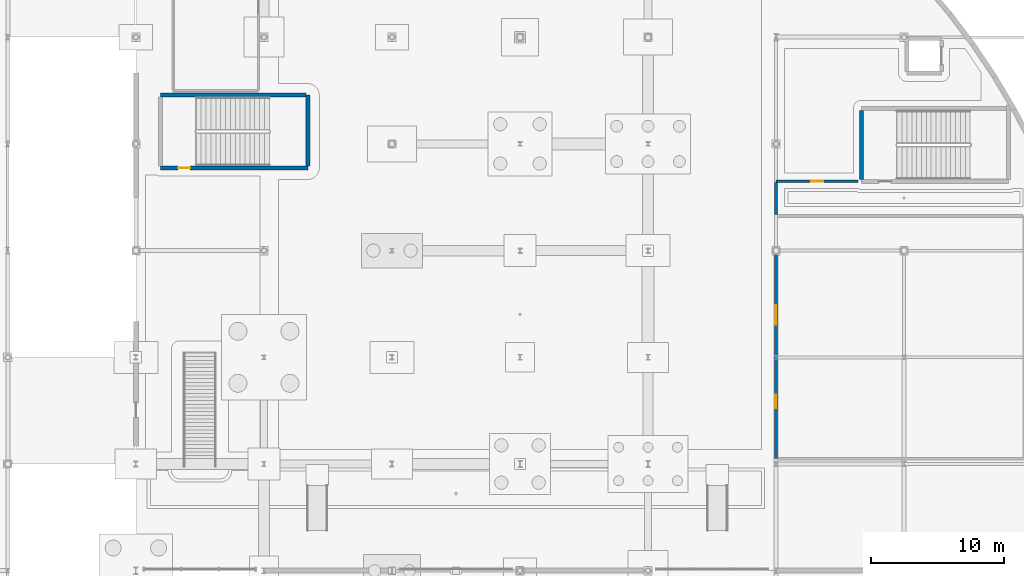
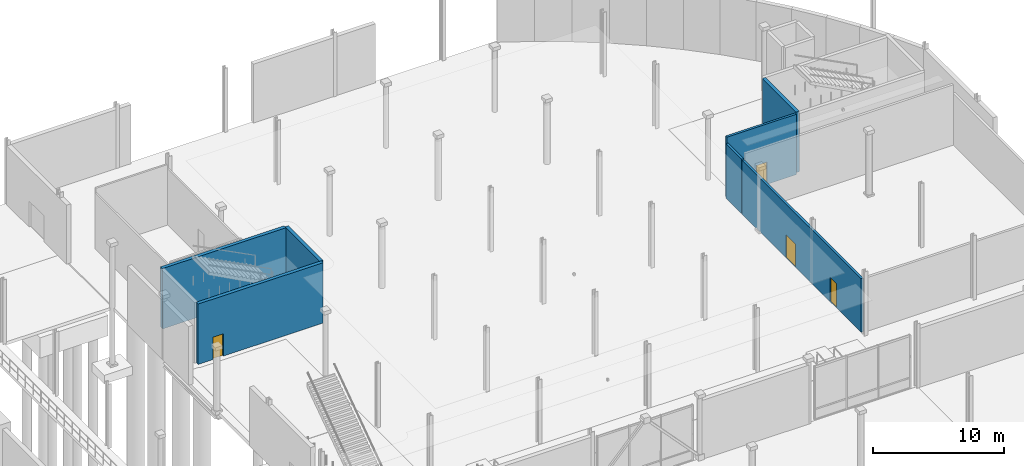
# One storey, part 84 of 124: 7 walls, 4 doors, 4 openings.
"""IFC4 building model written with IfcOpenShell, lengths in metres."""

import ifcopenshell
import ifcopenshell.guid

model = None  # the IFC model being written
_history = None  # IfcOwnerHistory: only IFC2X3 demands one
_inside = {}  # id of a spatial element -> (the spatial element, [elements in it])
_under = {}  # id of a project, library or spatial element -> (it, [spatial elements below it])
_declared = {}  # id of a project -> (the project, [libraries it declares])
_typed = {}  # id of a type object -> (the type object, [elements of that type])
_made_of = {}  # id of a material, layer set ... -> (it, [elements and type objects made of it])


def new_model(schema):
    """Start an empty IFC model of exactly this schema.

    Asked for "IFC4X3", IfcOpenShell would pick the latest addendum, in which some entities
    have other attributes; the version numbers below select the first issue.
    IFC2X3 requires an IfcOwnerHistory on every rooted entity: one is made here for all.
    """
    global model, _history
    if schema == "IFC4X3":
        model = ifcopenshell.file(schema_version=(4, 3, 0, 0))
    else:
        model = ifcopenshell.file(schema=schema)
    _inside.clear()
    _under.clear()
    _declared.clear()
    _typed.clear()
    _made_of.clear()
    _history = None
    if model.schema == "IFC2X3":
        org = make("IfcOrganization", Name="unknown")
        user = make(
            "IfcPersonAndOrganization",
            ThePerson=make("IfcPerson", FamilyName="unknown"),
            TheOrganization=org,
        )
        app = make(
            "IfcApplication",
            ApplicationDeveloper=org,
            Version="unknown",
            ApplicationFullName="unknown",
            ApplicationIdentifier="unknown",
        )
        _history = make(
            "IfcOwnerHistory",
            OwningUser=user,
            OwningApplication=app,
            ChangeAction="ADDED",
            CreationDate=0,
        )
    return model


def make(cls, **values):
    """One entity of the class cls with the attributes given. An attribute that is None is left unset."""
    return model.create_entity(
        cls, **{name: value for name, value in values.items() if value is not None}
    )


def rooted(cls, **values):
    """An entity with a GlobalId (a new one), such as an element, a storey or a relation."""
    return make(cls, GlobalId=ifcopenshell.guid.new(), OwnerHistory=_history, **values)


def si_unit(unit_type, name, prefix=None):
    """IfcSIUnit, for example si_unit("LENGTHUNIT", "METRE", prefix="MILLI")."""
    return make("IfcSIUnit", UnitType=unit_type, Prefix=prefix, Name=name)


def assignment(units):
    """IfcUnitAssignment: the units of a project."""
    return None if units is None else make("IfcUnitAssignment", Units=units)


def point(xyz):
    """IfcCartesianPoint."""
    return None if xyz is None else make("IfcCartesianPoint", Coordinates=xyz)


def direction(xyz):
    """IfcDirection."""
    return None if xyz is None else make("IfcDirection", DirectionRatios=xyz)


def frame(location, z_axis=None, x_axis=None):
    """IfcAxis2Placement3D, a coordinate frame: its origin and axes. An axis left out is left unset."""
    return make(
        "IfcAxis2Placement3D",
        Location=point(location),
        Axis=direction(z_axis),
        RefDirection=direction(x_axis),
    )


def frame_2d(location, x_axis=None):
    """IfcAxis2Placement2D, a coordinate frame in the plane: its origin and x axis."""
    return make(
        "IfcAxis2Placement2D", Location=point(location), RefDirection=direction(x_axis)
    )


def origin():
    """The frame at (0, 0, 0) with its axes left unset."""
    return frame((0.0, 0.0, 0.0))


def place(relative_to, where):
    """IfcLocalPlacement: puts the frame where relative to a parent placement (None: the world)."""
    return make(
        "IfcLocalPlacement", PlacementRelTo=relative_to, RelativePlacement=where
    )


def context(
    kind, dimensions, precision=None, world=None, true_north=None, identifier=None
):
    """IfcGeometricRepresentationContext, for example the 3D "Model" context."""
    return make(
        "IfcGeometricRepresentationContext",
        ContextIdentifier=identifier,
        ContextType=kind,
        CoordinateSpaceDimension=dimensions,
        Precision=precision,
        WorldCoordinateSystem=world,
        TrueNorth=true_north,
    )


def subcontext(parent, identifier, kind, view, scale=None):
    """IfcGeometricRepresentationSubContext, for example "Body" below "Model"."""
    return make(
        "IfcGeometricRepresentationSubContext",
        ContextIdentifier=identifier,
        ContextType=kind,
        ParentContext=parent,
        TargetScale=scale,
        TargetView=view,
    )


def project(units=None, contexts=None):
    """IfcProject with its units and contexts."""
    return rooted(
        "IfcProject",
        Name="project",
        RepresentationContexts=contexts,
        UnitsInContext=assignment(units),
    )


def spatial(cls, under=None, at=None, **own):
    """A site, building, storey or space (cls), placed at a placement, below another one or the project."""
    s = rooted(cls, ObjectPlacement=at, **own)
    if under is not None:
        _under.setdefault(under.id(), (under, []))[1].append(s)
    return s


def profile(cls, at=None, kind="AREA", **sizes):
    """A parametric profile (cls). Its sizes go by their IFC names, for example OverallWidth=200.0."""
    return make(cls, ProfileType=kind, Position=at, **sizes)


def rectangle(**sizes):
    """IfcRectangleProfileDef."""
    return profile("IfcRectangleProfileDef", **sizes)


def extrude(swept, where, along, depth):
    """IfcExtrudedAreaSolid: the profile swept, set in the frame where, extruded along a direction by depth."""
    return make(
        "IfcExtrudedAreaSolid",
        SweptArea=swept,
        Position=where,
        ExtrudedDirection=direction(along),
        Depth=depth,
    )


def shape(context_of_items, identifier, shape_type, items):
    """IfcShapeRepresentation: the items that make up one representation, for example the "Body"."""
    return make(
        "IfcShapeRepresentation",
        ContextOfItems=context_of_items,
        RepresentationIdentifier=identifier,
        RepresentationType=shape_type,
        Items=items,
    )


def material(Name=None, Category=None):
    """IfcMaterial."""
    return make("IfcMaterial", Name=Name, Category=Category)


def layer(
    of_material, thickness, ventilated=None, Name=None, Category=None, Priority=None
):
    """IfcMaterialLayer: one layer of a wall or slab, of a material (None: an air gap)."""
    return make(
        "IfcMaterialLayer",
        Material=of_material,
        LayerThickness=thickness,
        IsVentilated=ventilated,
        Name=Name,
        Category=Category,
        Priority=Priority,
    )


def layer_set(layers, Name=None):
    """IfcMaterialLayerSet."""
    return make("IfcMaterialLayerSet", MaterialLayers=layers, LayerSetName=Name)


def made_of(thing, what):
    """Note that an element or type object is made of a material, layer set ...; save() writes the relation."""
    if what is not None:
        _made_of.setdefault(what.id(), (what, []))[1].append(thing)
    return thing


def type_object(cls, material=None, **own):
    """A type object (cls), such as IfcWallType, which elements share."""
    return made_of(rooted(cls, **own), material)


def element(
    cls,
    number,
    at=None,
    inside=None,
    cuts=None,
    type_object=None,
    material=None,
    context=None,
    identifier="Body",
    shape_type=None,
    held_by="IfcProductDefinitionShape",
    body=None,
    shapes=None,
    **own,
):
    """One element of the class cls, such as IfcWall. Its Tag is "e" and its number.

    at: its placement. inside: the storey or other place that contains it. cuts: it is an
    opening in that element (IfcRelVoidsElement). A single representation is given by context,
    identifier, shape_type and body (its items); several are given by shapes. held_by: the class
    of the entity that holds the representations. save() writes the other relations.
    """
    e = rooted(cls, Tag="e%d" % number, ObjectPlacement=at, **own)
    if body is not None:
        shapes = [shape(context, identifier, shape_type, body)]
    if shapes is not None:
        e.Representation = make(held_by, Representations=shapes)
    if inside is not None:
        _inside.setdefault(inside.id(), (inside, []))[1].append(e)
    if cuts is not None:
        rooted(
            "IfcRelVoidsElement", RelatingBuildingElement=cuts, RelatedOpeningElement=e
        )
    if type_object is not None:
        _typed.setdefault(type_object.id(), (type_object, []))[1].append(e)
    return made_of(e, material)


def fill(opening, filler):
    """IfcRelFillsElement: the door or window that sits in an opening."""
    return rooted(
        "IfcRelFillsElement",
        RelatingOpeningElement=opening,
        RelatedBuildingElement=filler,
    )


def aggregate(whole, parts):
    """IfcRelAggregates: a whole, such as a stair, and the parts it consists of."""
    return rooted("IfcRelAggregates", RelatingObject=whole, RelatedObjects=parts)


def save(model, path):
    """Write the relations noted so far, then the file.

    IfcRelAggregates (storeys below a building ...), IfcRelContainedInSpatialStructure (elements
    in a storey), IfcRelDefinesByType, IfcRelAssociatesMaterial and IfcRelDeclares: one each for
    every whole, place, type object, material and project.
    """
    for whole, parts in _under.values():
        aggregate(whole, parts)
    for where, things in _inside.values():
        rooted(
            "IfcRelContainedInSpatialStructure",
            RelatedElements=things,
            RelatingStructure=where,
        )
    for kind, things in _typed.values():
        rooted("IfcRelDefinesByType", RelatedObjects=things, RelatingType=kind)
    for what, things in _made_of.values():
        rooted("IfcRelAssociatesMaterial", RelatedObjects=things, RelatingMaterial=what)
    for by, libraries in _declared.values():
        rooted("IfcRelDeclares", RelatingContext=by, RelatedDefinitions=libraries)
    model.write(path)


model = new_model("IFC4")

# Units and contexts
model_context = context("Model", 3, precision=1e-05, world=origin(), true_north=direction((0.0, 1.0)))
body_context = subcontext(model_context, "Body", "Model", "MODEL_VIEW")
ifc_project = project(units=[si_unit("LENGTHUNIT", "METRE"), si_unit("AREAUNIT", "SQUARE_METRE"), si_unit("VOLUMEUNIT", "CUBIC_METRE"), si_unit("PLANEANGLEUNIT", "RADIAN"), si_unit("MASSUNIT", "GRAM", prefix="KILO")], contexts=[model_context])

# Site, building, storey
site_placement = place(None, origin())
site = spatial("IfcSite", under=ifc_project, at=site_placement, CompositionType="ELEMENT")
building_placement = place(site_placement, origin())
building = spatial("IfcBuilding", under=site, at=building_placement, Name="Danafjord Basin Convention Centre", CompositionType="ELEMENT")
storey_placement = place(building_placement, origin())
storey = spatial("IfcBuildingStorey", under=building, at=storey_placement, Name="L00", CompositionType="ELEMENT", Elevation=0.0)

# Wall
ifc_material_1 = material(Name="Concrete C40/50", Category="concrete")
ifc_layer_1 = layer(ifc_material_1, 0.300048828125)
ifc_layer_set_1 = layer_set([ifc_layer_1], Name="Concrete C40/50")
wall_type_1 = type_object("IfcWallType", Name="WALL-CW-CORE300", PredefinedType="SHEAR", material=ifc_layer_set_1)
wall_1_placement = place(storey_placement, frame((188.800048828125, 117.3349609375, 0.0), z_axis=(0.0, 0.0, 1.0), x_axis=(0.0, 1.0, 0.0)))
element("IfcWall", 1, at=wall_1_placement, inside=storey, type_object=wall_type_1, Name="Plenary North-East Core Stair 1 core shear wall (west)", PredefinedType="SHEAR", context=body_context, shape_type="SweptSolid", body=[
    extrude(rectangle(XDim=5.18994140625, YDim=0.300048828125, at=frame_2d((2.594970703125, 0.0))), origin(), (0.0, 0.0, 1.0), 5.639892578125),
])

# Wall, opening, door
wall_2_placement = place(storey_placement, frame((147.2900390625, 118.199951171875, 0.0), z_axis=(0.0, 0.0, 1.0), x_axis=(-1.0, 0.0, 0.0)))
wall_2 = element("IfcWall", 2, at=wall_2_placement, inside=storey, type_object=wall_type_1, Name="Plenary West Escape Stair core shear wall (south)", PredefinedType="SHEAR", context=body_context, shape_type="SweptSolid", body=[
    extrude(rectangle(XDim=11.0400390625, YDim=0.300048828125, at=frame_2d((5.52001953125, 0.0))), origin(), (0.0, 0.0, 1.0), 5.639892578125),
])
opening_1_placement = place(wall_2_placement, frame((8.818115234375, 0.0, 0.0)))
opening_1 = element("IfcOpeningElement", 3, at=opening_1_placement, cuts=wall_2, Name="Opening FD-S01", PredefinedType="OPENING", context=body_context, shape_type="SweptSolid", body=[
    extrude(rectangle(XDim=0.909912109375, YDim=2.080078125, at=frame_2d((0.455078125, 1.0400390625))), frame((0.0, 0.159912109375, 0.0), z_axis=(0.0, -1.0, 0.0), x_axis=(1.0, 0.0, 0.0)), (0.0, 0.0, 1.0), 0.320068359375),
])
ifc_material_2 = material(Name="Powder-coated steel and Nordic oak", Category="steel")
door_type_1 = type_object("IfcDoorType", Name="DOOR-FD-S01", OperationType="NOTDEFINED", PredefinedType="DOOR", material=ifc_material_2)
door_1_placement = place(opening_1_placement, origin())
door_1 = element("IfcDoor", 4, at=door_1_placement, inside=storey, type_object=door_type_1, Name="Plenary West Escape Stair L00 Fire Exit Door", OperationType="SINGLE_SWING_LEFT", OverallHeight=2.080078125, OverallWidth=0.909912109375, PredefinedType="DOOR", context=body_context, shape_type="SweptSolid", body=[
    extrude(rectangle(XDim=0.909912109375, YDim=2.080078125, at=frame_2d((0.455078125, 1.0400390625))), frame((0.0, 0.02490234375, 0.0), z_axis=(0.0, -1.0, 0.0), x_axis=(1.0, 0.0, 0.0)), (0.0, 0.0, 1.0), 0.050048828125),
])
fill(opening_1, door_1)

# Walls
wall_3_placement = place(storey_placement, frame((147.2900390625, 123.659912109375, 0.0), z_axis=(0.0, 0.0, 1.0), x_axis=(0.0, -1.0, 0.0)))
element("IfcWall", 5, at=wall_3_placement, inside=storey, type_object=wall_type_1, Name="Plenary West Escape Stair core shear wall (east)", PredefinedType="SHEAR", context=body_context, shape_type="SweptSolid", body=[
    extrude(rectangle(XDim=5.324951171875, YDim=0.300048828125, at=frame_2d((2.66259765625, 0.0))), origin(), (0.0, 0.0, 1.0), 5.639892578125),
])
wall_4_placement = place(storey_placement, frame((136.25, 123.659912109375, 0.0), z_axis=(0.0, 0.0, 1.0), x_axis=(1.0, 0.0, 0.0)))
element("IfcWall", 6, at=wall_4_placement, inside=storey, type_object=wall_type_1, Name="Plenary West Escape Stair core shear wall (north)", PredefinedType="SHEAR", context=body_context, shape_type="SweptSolid", body=[
    extrude(rectangle(XDim=10.905029296875, YDim=0.300048828125, at=frame_2d((5.45263671875, 0.0))), origin(), (0.0, 0.0, 1.0), 5.639892578125),
])

# Wall, openings, doors
ifc_material_3 = material(Name="Concrete C35/45", Category="concrete")
ifc_layer_2 = layer(ifc_material_3, 0.205078125)
ifc_layer_set_2 = layer_set([ifc_layer_2], Name="Concrete C35/45")
wall_type_2 = type_object("IfcWallType", Name="WALL-W-COMP205", PredefinedType="SOLIDWALL", material=ifc_layer_set_2)
wall_5_placement = place(storey_placement, frame((182.39990234375, 114.60009765625, 0.0), z_axis=(0.0, 0.0, 1.0), x_axis=(0.0, -1.0, 0.0)))
wall_5 = element("IfcWall", 7, at=wall_5_placement, inside=storey, type_object=wall_type_2, Name="Auditorium Wing Scenery Crate Store west partition", PredefinedType="SOLIDWALL", context=body_context, shape_type="SweptSolid", body=[
    extrude(rectangle(XDim=18.2001953125, YDim=0.205078125, at=frame_2d((9.10009765625, 0.0))), origin(), (0.0, 0.0, 1.0), 5.010009765625),
])
opening_2_placement = place(wall_5_placement, frame((6.68798828125, 0.0, 0.0)))
opening_2 = element("IfcOpeningElement", 8, at=opening_2_placement, cuts=wall_5, Name="Opening FD-D08", PredefinedType="OPENING", context=body_context, shape_type="SweptSolid", body=[
    extrude(rectangle(XDim=1.47998046875, YDim=2.159912109375, at=frame_2d((0.739990234375, 1.080078125))), frame((0.0, 0.112548828125, 0.0), z_axis=(0.0, -1.0, 0.0), x_axis=(1.0, 0.0, 0.0)), (0.0, 0.0, 1.0), 0.22509765625),
])
opening_3_placement = place(wall_5_placement, frame((13.424072265625, 0.0, 0.0)))
opening_3 = element("IfcOpeningElement", 9, at=opening_3_placement, cuts=wall_5, Name="Opening FD-S23", PredefinedType="OPENING", context=body_context, shape_type="SweptSolid", body=[
    extrude(rectangle(XDim=0.989990234375, YDim=2.280029296875, at=frame_2d((0.4951171875, 1.14013671875))), frame((0.0, 0.112548828125, 0.0), z_axis=(0.0, -1.0, 0.0), x_axis=(1.0, 0.0, 0.0)), (0.0, 0.0, 1.0), 0.22509765625),
])
ifc_material_4 = material(Name="Brushed stainless steel and acoustic laminated glass", Category="steel")
door_type_2 = type_object("IfcDoorType", Name="DOOR-FD-D08", OperationType="DOUBLE_DOOR_SINGLE_SWING", PredefinedType="DOOR", material=ifc_material_4)
door_2_placement = place(opening_2_placement, origin())
door_2 = element("IfcDoor", 10, at=door_2_placement, inside=storey, type_object=door_type_2, Name="Auditorium Wing Scenery Crate Store Entrance Door", OperationType="DOUBLE_DOOR_SINGLE_SWING", OverallHeight=2.159912109375, OverallWidth=1.47998046875, PredefinedType="DOOR", context=body_context, shape_type="SweptSolid", body=[
    extrude(rectangle(XDim=1.47998046875, YDim=2.159912109375, at=frame_2d((0.739990234375, 1.080078125))), frame((0.0, 0.02490234375, 0.0), z_axis=(0.0, -1.0, 0.0), x_axis=(1.0, 0.0, 0.0)), (0.0, 0.0, 1.0), 0.050048828125),
])
fill(opening_2, door_2)
door_type_3 = type_object("IfcDoorType", Name="DOOR-FD-S23", OperationType="NOTDEFINED", PredefinedType="DOOR", material=ifc_material_2)
door_3_placement = place(opening_3_placement, origin())
door_3 = element("IfcDoor", 11, at=door_3_placement, inside=storey, type_object=door_type_3, Name="Auditorium Wing Scenery Crate Store Secondary Exit Door", OperationType="SINGLE_SWING_LEFT", OverallHeight=2.280029296875, OverallWidth=0.989990234375, PredefinedType="DOOR", context=body_context, shape_type="SweptSolid", body=[
    extrude(rectangle(XDim=0.989990234375, YDim=2.280029296875, at=frame_2d((0.4951171875, 1.14013671875))), frame((0.0, 0.02490234375, 0.0), z_axis=(0.0, -1.0, 0.0), x_axis=(1.0, 0.0, 0.0)), (0.0, 0.0, 1.0), 0.050048828125),
])
fill(opening_3, door_3)

# Wall, opening, door
wall_6_placement = place(storey_placement, frame((182.39990234375, 117.199951171875, 0.0), z_axis=(0.0, 0.0, 1.0), x_axis=(1.0, 0.0, 0.0)))
wall_6 = element("IfcWall", 12, at=wall_6_placement, inside=storey, type_object=wall_type_2, Name="Plenary North-East Protected Exit Passage fire wall", PredefinedType="SOLIDWALL", context=body_context, shape_type="SweptSolid", body=[
    extrude(rectangle(XDim=6.150146484375, YDim=0.205078125, at=frame_2d((3.0751953125, 0.0))), origin(), (0.0, 0.0, 1.0), 5.639892578125),
])
opening_4_placement = place(wall_6_placement, frame((2.6201171875, 0.0, 0.0)))
opening_4 = element("IfcOpeningElement", 13, at=opening_4_placement, cuts=wall_6, Name="Opening FD-S01", PredefinedType="OPENING", context=body_context, shape_type="SweptSolid", body=[
    extrude(rectangle(XDim=0.909912109375, YDim=2.080078125, at=frame_2d((0.455078125, 1.0400390625))), frame((0.0, 0.112548828125, 0.0), z_axis=(0.0, -1.0, 0.0), x_axis=(1.0, 0.0, 0.0)), (0.0, 0.0, 1.0), 0.22509765625),
])
door_4_placement = place(opening_4_placement, origin())
door_4 = element("IfcDoor", 14, at=door_4_placement, inside=storey, type_object=door_type_1, Name="Plenary Protected Exit Passage Fire Door", OperationType="SINGLE_SWING_RIGHT", OverallHeight=2.080078125, OverallWidth=0.909912109375, PredefinedType="DOOR", context=body_context, shape_type="SweptSolid", body=[
    extrude(rectangle(XDim=0.909912109375, YDim=2.080078125, at=frame_2d((0.455078125, 1.0400390625))), frame((0.0, 0.02490234375, 0.0), z_axis=(0.0, -1.0, 0.0), x_axis=(1.0, 0.0, 0.0)), (0.0, 0.0, 1.0), 0.050048828125),
])
fill(opening_4, door_4)

# Wall
wall_7_placement = place(storey_placement, frame((182.39990234375, 114.70654296875, 0.0), z_axis=(0.0, 0.0, 1.0), x_axis=(0.0, 1.0, 0.0)))
element("IfcWall", 15, at=wall_7_placement, inside=storey, type_object=wall_type_2, Name="Plenary North-East Protected Exit Passage west return wall", PredefinedType="SOLIDWALL", context=body_context, shape_type="SweptSolid", body=[
    extrude(rectangle(XDim=2.386962890625, YDim=0.205078125, at=frame_2d((1.193359375, 0.0))), origin(), (0.0, 0.0, 1.0), 5.06005859375),
])

save(model, "model.ifc")
